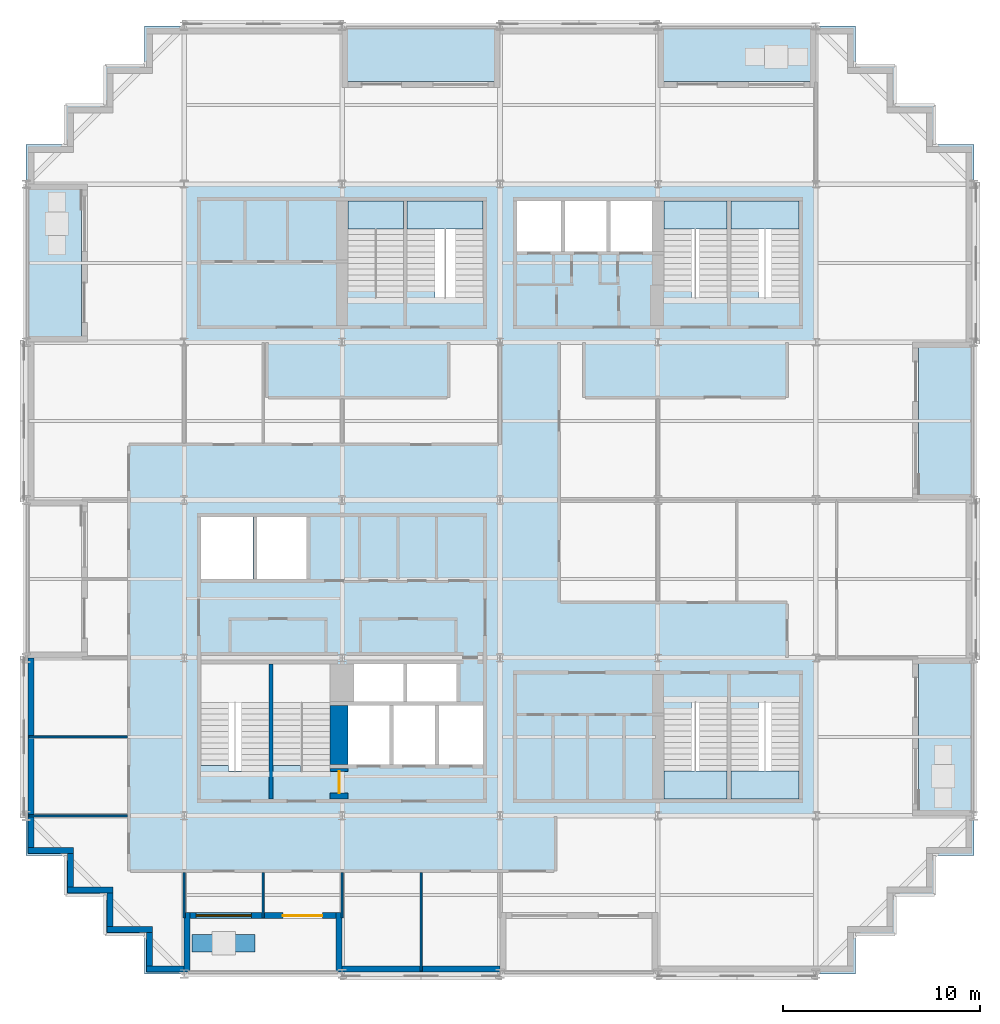
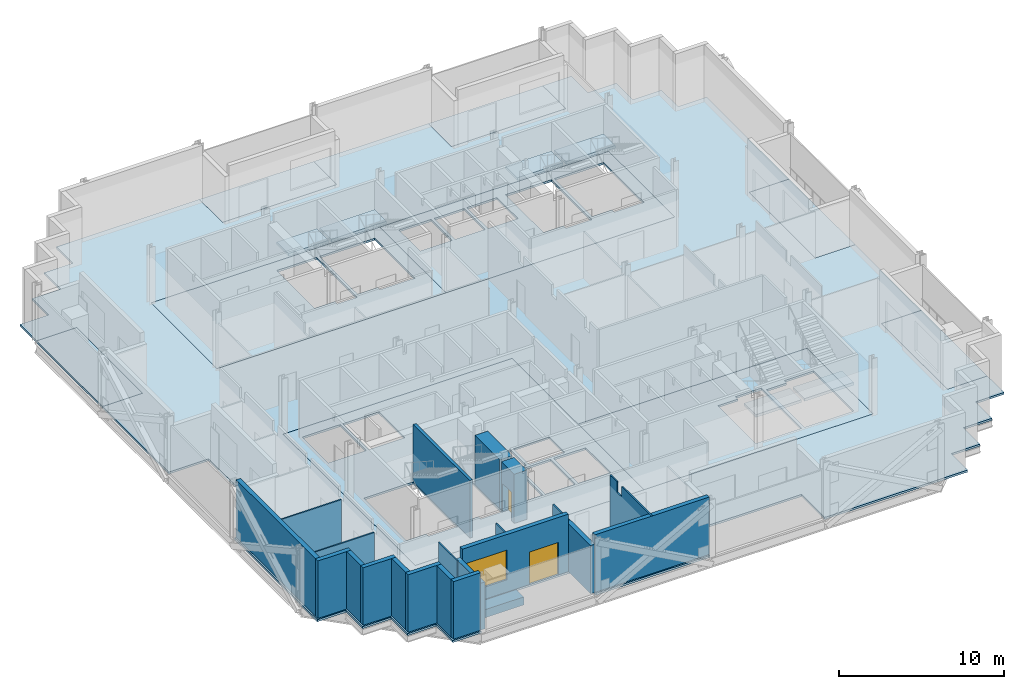
# One storey, part 5 of 15: 22 walls, 16 slabs, 2 doors, 1 window, 3 openings, 6 elements without a shape of their own.
"""IFC4 building model written with IfcOpenShell, lengths in metres."""

from ifc_helpers import new_model, si_unit, direction, frame, frame_2d, origin, place, context, subcontext, project, spatial, polyline, rectangle, outline, extrude, material, layer, layer_set, type_object, element, fill, aggregate, save


model = new_model("IFC4")

# Units and contexts
model_context = context("Model", 3, precision=1e-05, world=origin(), true_north=direction((0.0, 1.0)))
body_context = subcontext(model_context, "Body", "Model", "MODEL_VIEW")
ifc_project = project(units=[si_unit("LENGTHUNIT", "METRE"), si_unit("AREAUNIT", "SQUARE_METRE"), si_unit("VOLUMEUNIT", "CUBIC_METRE"), si_unit("PLANEANGLEUNIT", "RADIAN"), si_unit("MASSUNIT", "GRAM", prefix="KILO")], contexts=[model_context])

# Site, building, storey
site_placement = place(None, origin())
site = spatial("IfcSite", under=ifc_project, at=site_placement, CompositionType="ELEMENT")
building_placement = place(site_placement, origin())
building = spatial("IfcBuilding", under=site, at=building_placement, Name="Immortelle Media Tower", CompositionType="ELEMENT")
storey_placement = place(building_placement, frame((0.0, 0.0, 78.800048828125)))
storey = spatial("IfcBuildingStorey", under=building, at=storey_placement, Name="L14", CompositionType="ELEMENT", Elevation=78.800048828125)

# Slabs
ifc_material_1 = material(Name="Concrete C50/60 composite deck", Category="concrete")
ifc_layer_1 = layer(ifc_material_1, 0.14990234375)
ifc_layer_set_1 = layer_set([ifc_layer_1], Name="Concrete C50/60 composite deck")
slab_type_1 = type_object("IfcSlabType", Name="Balcony slab 150", PredefinedType="FLOOR", material=ifc_layer_set_1)
slab_1_placement = place(storey_placement, frame((0.0, 0.0, -0.150146484375)))
element("IfcSlab", 1, at=slab_1_placement, inside=storey, type_object=slab_type_1, Name="Balcony slab L14 W0", PredefinedType="FLOOR", context=body_context, shape_type="SweptSolid", body=[
    extrude(outline(polyline([(2.800048828125, 32.0), (2.800048828125, 40.0), (0.0, 40.0), (0.0, 32.0), (2.800048828125, 32.0)])), origin(), (0.0, 0.0, 1.0), 0.150146484375),
])
slab_2_placement = place(storey_placement, frame((0.0, 0.0, -0.150146484375)))
element("IfcSlab", 2, at=slab_2_placement, inside=storey, type_object=slab_type_1, Name="Balcony slab L14 E0", PredefinedType="FLOOR", context=body_context, shape_type="SweptSolid", body=[
    extrude(outline(polyline([(48.0, 8.0), (48.0, 16.0), (45.199951171875, 16.0), (45.199951171875, 8.0), (48.0, 8.0)])), origin(), (0.0, 0.0, 1.0), 0.150146484375),
])
slab_3_placement = place(storey_placement, frame((0.0, 0.0, -0.150146484375)))
element("IfcSlab", 3, at=slab_3_placement, inside=storey, type_object=slab_type_1, Name="Balcony slab L14 E2", PredefinedType="FLOOR", context=body_context, shape_type="SweptSolid", body=[
    extrude(outline(polyline([(48.0, 24.0), (48.0, 32.0), (45.199951171875, 32.0), (45.199951171875, 24.0), (48.0, 24.0)])), origin(), (0.0, 0.0, 1.0), 0.150146484375),
])
slab_4_placement = place(storey_placement, frame((0.0, 0.0, -0.150146484375)))
element("IfcSlab", 4, at=slab_4_placement, inside=storey, type_object=slab_type_1, Name="Balcony slab L14 N0", PredefinedType="FLOOR", context=body_context, shape_type="SweptSolid", body=[
    extrude(outline(polyline([(40.0, 45.199951171875), (40.0, 48.0), (32.0, 48.0), (32.0, 45.199951171875), (40.0, 45.199951171875)])), origin(), (0.0, 0.0, 1.0), 0.150146484375),
])
slab_5_placement = place(storey_placement, frame((0.0, 0.0, -0.150146484375)))
element("IfcSlab", 5, at=slab_5_placement, inside=storey, type_object=slab_type_1, Name="Balcony slab L14 N2", PredefinedType="FLOOR", context=body_context, shape_type="SweptSolid", body=[
    extrude(outline(polyline([(24.0, 45.199951171875), (24.0, 48.0), (16.0, 48.0), (16.0, 45.199951171875), (24.0, 45.199951171875)])), origin(), (0.0, 0.0, 1.0), 0.150146484375),
])
ifc_material_2 = material(Name="Concrete C50/60", Category="concrete")
ifc_layer_2 = layer(ifc_material_2, 0.14990234375)
ifc_layer_set_2 = layer_set([ifc_layer_2], Name="Concrete C50/60")
slab_type_2 = type_object("IfcSlabType", Name="Composite floor slab 150", PredefinedType="FLOOR", material=ifc_layer_set_2)
slab_6_placement = place(storey_placement, frame((0.0, 0.0, -0.150146484375)))
element("IfcSlab", 6, at=slab_6_placement, inside=storey, type_object=slab_type_2, Name="Floor slab L14", PredefinedType="FLOOR", context=body_context, shape_type="SweptSolid", body=[
    extrude(outline(polyline([(6.0, 0.0), (6.0, 2.0), (4.0, 2.0), (4.0, 4.0), (2.0, 4.0), (2.0, 6.0), (0.0, 6.0), (0.0, 16.0), (2.800048828125, 16.0), (2.800048828125, 24.0), (0.0, 24.0), (0.0, 32.0), (2.800048828125, 32.0), (2.800048828125, 40.0), (0.0, 40.0), (0.0, 42.0), (2.0, 42.0), (2.0, 44.0), (4.0, 44.0), (4.0, 46.0), (6.0, 46.0), (6.0, 48.0), (16.0, 48.0), (16.0, 45.199951171875), (24.0, 45.199951171875), (24.0, 48.0), (32.0, 48.0), (32.0, 45.199951171875), (40.0, 45.199951171875), (40.0, 48.0), (42.0, 48.0), (42.0, 46.0), (44.0, 46.0), (44.0, 44.0), (46.0, 44.0), (46.0, 42.0), (48.0, 42.0), (48.0, 32.0), (45.199951171875, 32.0), (45.199951171875, 24.0), (48.0, 24.0), (48.0, 16.0), (45.199951171875, 16.0), (45.199951171875, 8.0), (48.0, 8.0), (48.0, 6.0), (46.0, 6.0), (46.0, 4.0), (44.0, 4.0), (44.0, 2.0), (42.0, 2.0), (42.0, 0.0), (32.0, 0.0), (32.0, 2.800048828125), (24.0, 2.800048828125), (24.0, 0.0), (16.0, 0.0), (16.0, 2.800048828125), (8.0, 2.800048828125), (8.0, 0.0), (6.0, 0.0)]), holes=[polyline([(24.0, 24.0), (8.0, 24.0), (8.0, 8.0), (24.0, 8.0), (40.0, 8.0), (40.0, 16.0), (24.0, 16.0), (24.0, 24.0)]), polyline([(24.0, 32.0), (40.0, 32.0), (40.0, 40.0), (24.0, 40.0), (8.0, 40.0), (8.0, 32.0), (24.0, 32.0)])]), origin(), (0.0, 0.0, 1.0), 0.150146484375),
])
ifc_layer_3 = layer(ifc_material_2, 0.14990234375)
ifc_layer_set_3 = layer_set([ifc_layer_3], Name="Concrete C50/60")
slab_type_3 = type_object("IfcSlabType", Name="Core floor slab 150", PredefinedType="FLOOR", material=ifc_layer_set_3)
slab_7_placement = place(storey_placement, frame((0.0, 0.0, -0.150146484375)))
element("IfcSlab", 7, at=slab_7_placement, inside=storey, type_object=slab_type_3, Name="Core floor SW", PredefinedType="FLOOR", context=body_context, shape_type="SweptSolid", body=[
    extrude(outline(polyline([(8.0, 8.0), (24.0, 8.0), (24.0, 24.0), (8.0, 24.0), (8.0, 8.0)]), holes=[polyline([(8.85009765625, 20.0), (11.5, 20.0), (11.5, 23.14990234375), (8.85009765625, 23.14990234375), (8.85009765625, 20.0)]), polyline([(11.699951171875, 20.0), (14.199951171875, 20.0), (14.199951171875, 23.14990234375), (11.699951171875, 23.14990234375), (11.699951171875, 20.0)]), polyline([(16.60009765625, 13.800048828125), (19.10009765625, 13.800048828125), (19.10009765625, 15.699951171875), (16.60009765625, 15.699951171875), (16.60009765625, 13.800048828125)]), polyline([(19.300048828125, 13.800048828125), (21.800048828125, 13.800048828125), (21.800048828125, 15.699951171875), (19.300048828125, 15.699951171875), (19.300048828125, 13.800048828125)]), polyline([(16.300048828125, 10.60009765625), (18.39990234375, 10.60009765625), (18.39990234375, 13.60009765625), (16.300048828125, 13.60009765625), (16.300048828125, 10.60009765625)]), polyline([(18.60009765625, 10.60009765625), (20.699951171875, 10.60009765625), (20.699951171875, 13.60009765625), (18.60009765625, 13.60009765625), (18.60009765625, 10.60009765625)]), polyline([(20.89990234375, 10.60009765625), (23.14990234375, 10.60009765625), (23.14990234375, 13.60009765625), (20.89990234375, 13.60009765625), (20.89990234375, 10.60009765625)]), polyline([(8.85009765625, 15.699951171875), (12.300048828125, 15.699951171875), (12.300048828125, 10.27001953125), (10.25, 10.27001953125), (10.25, 10.56005859375), (8.85009765625, 10.56005859375), (8.85009765625, 15.699951171875)]), polyline([(12.5, 15.699951171875), (15.39990234375, 15.699951171875), (15.39990234375, 10.27001953125), (13.89990234375, 10.27001953125), (13.89990234375, 10.56005859375), (12.5, 10.56005859375), (12.5, 15.699951171875)])]), origin(), (0.0, 0.0, 1.0), 0.150146484375),
])
slab_8_placement = place(storey_placement, frame((0.0, 0.0, -0.150146484375)))
element("IfcSlab", 8, at=slab_8_placement, inside=storey, type_object=slab_type_3, Name="Core floor SE", PredefinedType="FLOOR", context=body_context, shape_type="SweptSolid", body=[
    extrude(outline(polyline([(24.0, 8.0), (40.0, 8.0), (40.0, 16.0), (24.0, 16.0), (24.0, 8.0)]), holes=[polyline([(35.5, 13.72998046875), (35.5, 8.85009765625), (32.300048828125, 8.85009765625), (32.300048828125, 13.43994140625), (33.699951171875, 13.43994140625), (33.699951171875, 13.72998046875), (35.5, 13.72998046875)]), polyline([(39.14990234375, 13.72998046875), (39.14990234375, 8.85009765625), (35.699951171875, 8.85009765625), (35.699951171875, 13.43994140625), (37.10009765625, 13.43994140625), (37.10009765625, 13.72998046875), (39.14990234375, 13.72998046875)])]), origin(), (0.0, 0.0, 1.0), 0.150146484375),
])
slab_9_placement = place(storey_placement, frame((0.0, 0.0, -0.150146484375)))
element("IfcSlab", 9, at=slab_9_placement, inside=storey, type_object=slab_type_3, Name="Core floor NW", PredefinedType="FLOOR", context=body_context, shape_type="SweptSolid", body=[
    extrude(outline(polyline([(8.0, 32.0), (24.0, 32.0), (24.0, 40.0), (8.0, 40.0), (8.0, 32.0)]), holes=[polyline([(16.300048828125, 39.14990234375), (19.10009765625, 39.14990234375), (19.10009765625, 34.27001953125), (17.699951171875, 34.27001953125), (17.699951171875, 34.56005859375), (16.300048828125, 34.56005859375), (16.300048828125, 39.14990234375)]), polyline([(19.300048828125, 39.14990234375), (23.14990234375, 39.14990234375), (23.14990234375, 34.27001953125), (20.699951171875, 34.27001953125), (20.699951171875, 34.56005859375), (19.300048828125, 34.56005859375), (19.300048828125, 39.14990234375)])]), origin(), (0.0, 0.0, 1.0), 0.150146484375),
])
slab_10_placement = place(storey_placement, frame((0.0, 0.0, -0.150146484375)))
element("IfcSlab", 10, at=slab_10_placement, inside=storey, type_object=slab_type_3, Name="Core floor NE", PredefinedType="FLOOR", context=body_context, shape_type="SweptSolid", body=[
    extrude(outline(polyline([(24.0, 32.0), (40.0, 32.0), (40.0, 40.0), (24.0, 40.0), (24.0, 32.0)]), holes=[polyline([(24.85009765625, 36.60009765625), (27.10009765625, 36.60009765625), (27.10009765625, 39.14990234375), (24.85009765625, 39.14990234375), (24.85009765625, 36.60009765625)]), polyline([(27.300048828125, 36.60009765625), (29.39990234375, 36.60009765625), (29.39990234375, 39.14990234375), (27.300048828125, 39.14990234375), (27.300048828125, 36.60009765625)]), polyline([(29.60009765625, 36.60009765625), (31.699951171875, 36.60009765625), (31.699951171875, 39.14990234375), (29.60009765625, 39.14990234375), (29.60009765625, 36.60009765625)]), polyline([(32.300048828125, 39.14990234375), (35.5, 39.14990234375), (35.5, 34.27001953125), (33.699951171875, 34.27001953125), (33.699951171875, 34.56005859375), (32.300048828125, 34.56005859375), (32.300048828125, 39.14990234375)]), polyline([(35.699951171875, 39.14990234375), (39.14990234375, 39.14990234375), (39.14990234375, 34.27001953125), (37.10009765625, 34.27001953125), (37.10009765625, 34.56005859375), (35.699951171875, 34.56005859375), (35.699951171875, 39.14990234375)])]), origin(), (0.0, 0.0, 1.0), 0.150146484375),
])

# Stair, slab
ifc_material_3 = material(Name="Steel ASTM A992 Gr 50", Category="steel")
stair_type = type_object("IfcStairType", Name="Stair with flights", PredefinedType="DOUBLE_RETURN_STAIR", material=ifc_material_3)
stair_1_placement = place(storey_placement, origin())
stair_1 = element("IfcStair", 11, at=stair_1_placement, inside=storey, type_object=stair_type, Name="Exit stair SE1", PredefinedType="DOUBLE_RETURN_STAIR")
ifc_material_4 = material(Name="Steel ASTM A572 Gr 50", Category="steel")
ifc_layer_4 = layer(ifc_material_4, 0.199951171875)
ifc_layer_set_4 = layer_set([ifc_layer_4], Name="Steel ASTM A572 Gr 50")
slab_type_4 = type_object("IfcSlabType", Name="Stair landing 200", PredefinedType="LANDING", material=ifc_layer_set_4)
slab_11_placement = place(storey_placement, frame((0.0, 0.0, 1.911865234375)))
slab_11 = element("IfcSlab", 12, at=slab_11_placement, type_object=slab_type_4, Name="ST SE1 landing 1", PredefinedType="LANDING", context=body_context, shape_type="SweptSolid", body=[
    extrude(outline(polyline([(32.300048828125, 8.85009765625), (35.5, 8.85009765625), (35.5, 10.27001953125), (32.300048828125, 10.27001953125), (32.300048828125, 8.85009765625)])), origin(), (0.0, 0.0, 1.0), 0.2001953125),
])
aggregate(stair_1, [slab_11])

stair_2_placement = place(storey_placement, origin())
stair_2 = element("IfcStair", 13, at=stair_2_placement, inside=storey, type_object=stair_type, Name="Exit stair SE2", PredefinedType="DOUBLE_RETURN_STAIR")
slab_12_placement = place(storey_placement, frame((0.0, 0.0, 1.911865234375)))
slab_12 = element("IfcSlab", 14, at=slab_12_placement, type_object=slab_type_4, Name="ST SE2 landing 1", PredefinedType="LANDING", context=body_context, shape_type="SweptSolid", body=[
    extrude(outline(polyline([(35.699951171875, 8.85009765625), (39.14990234375, 8.85009765625), (39.14990234375, 10.27001953125), (35.699951171875, 10.27001953125), (35.699951171875, 8.85009765625)])), origin(), (0.0, 0.0, 1.0), 0.2001953125),
])
aggregate(stair_2, [slab_12])

stair_3_placement = place(storey_placement, origin())
stair_3 = element("IfcStair", 15, at=stair_3_placement, inside=storey, type_object=stair_type, Name="Exit stair NW1", PredefinedType="DOUBLE_RETURN_STAIR")
slab_13_placement = place(storey_placement, frame((0.0, 0.0, 1.911865234375)))
slab_13 = element("IfcSlab", 16, at=slab_13_placement, type_object=slab_type_4, Name="ST NW1 landing 1", PredefinedType="LANDING", context=body_context, shape_type="SweptSolid", body=[
    extrude(outline(polyline([(16.300048828125, 37.72998046875), (19.10009765625, 37.72998046875), (19.10009765625, 39.14990234375), (16.300048828125, 39.14990234375), (16.300048828125, 37.72998046875)])), origin(), (0.0, 0.0, 1.0), 0.2001953125),
])
aggregate(stair_3, [slab_13])

stair_4_placement = place(storey_placement, origin())
stair_4 = element("IfcStair", 17, at=stair_4_placement, inside=storey, type_object=stair_type, Name="Exit stair NW2", PredefinedType="DOUBLE_RETURN_STAIR")
slab_14_placement = place(storey_placement, frame((0.0, 0.0, 1.911865234375)))
slab_14 = element("IfcSlab", 18, at=slab_14_placement, type_object=slab_type_4, Name="ST NW2 landing 1", PredefinedType="LANDING", context=body_context, shape_type="SweptSolid", body=[
    extrude(outline(polyline([(19.300048828125, 37.72998046875), (23.14990234375, 37.72998046875), (23.14990234375, 39.14990234375), (19.300048828125, 39.14990234375), (19.300048828125, 37.72998046875)])), origin(), (0.0, 0.0, 1.0), 0.2001953125),
])
aggregate(stair_4, [slab_14])

stair_5_placement = place(storey_placement, origin())
stair_5 = element("IfcStair", 19, at=stair_5_placement, inside=storey, type_object=stair_type, Name="Exit stair NE1", PredefinedType="DOUBLE_RETURN_STAIR")
slab_15_placement = place(storey_placement, frame((0.0, 0.0, 1.911865234375)))
slab_15 = element("IfcSlab", 20, at=slab_15_placement, type_object=slab_type_4, Name="ST NE1 landing 1", PredefinedType="LANDING", context=body_context, shape_type="SweptSolid", body=[
    extrude(outline(polyline([(32.300048828125, 37.72998046875), (35.5, 37.72998046875), (35.5, 39.14990234375), (32.300048828125, 39.14990234375), (32.300048828125, 37.72998046875)])), origin(), (0.0, 0.0, 1.0), 0.2001953125),
])
aggregate(stair_5, [slab_15])

stair_6_placement = place(storey_placement, origin())
stair_6 = element("IfcStair", 21, at=stair_6_placement, inside=storey, type_object=stair_type, Name="Exit stair NE2", PredefinedType="DOUBLE_RETURN_STAIR")
slab_16_placement = place(storey_placement, frame((0.0, 0.0, 1.911865234375)))
slab_16 = element("IfcSlab", 22, at=slab_16_placement, type_object=slab_type_4, Name="ST NE2 landing 1", PredefinedType="LANDING", context=body_context, shape_type="SweptSolid", body=[
    extrude(outline(polyline([(35.699951171875, 37.72998046875), (39.14990234375, 37.72998046875), (39.14990234375, 39.14990234375), (35.699951171875, 39.14990234375), (35.699951171875, 37.72998046875)])), origin(), (0.0, 0.0, 1.0), 0.2001953125),
])
aggregate(stair_6, [slab_16])

# Walls
ifc_material_5 = material(Name="Pale aluminium cladding panel", Category="aluminium")
ifc_layer_5 = layer(ifc_material_5, 0.030029296875)
ifc_material_6 = material(Name="Steel ASTM A653 SS Gr 50 stud frame with mineral wool", Category="steel")
ifc_layer_6 = layer(ifc_material_6, 0.257568359375)
ifc_material_7 = material(Name="Moisture-resistant gypsum board", Category="gypsum")
ifc_layer_7 = layer(ifc_material_7, 0.012451171875)
ifc_layer_set_5 = layer_set([ifc_layer_5, ifc_layer_6, ifc_layer_7], Name="Steel ASTM A653 SS Gr 50 stud frame with mineral wool")
wall_type_1 = type_object("IfcWallType", Name="Facade wall 300", PredefinedType="SOLIDWALL", material=ifc_layer_set_5)
wall_1_placement = place(storey_placement, frame((0.25, 16.0, 0.0), z_axis=(0.0, 0.0, 1.0), x_axis=(0.0, -1.0, 0.0)))
element("IfcWall", 23, at=wall_1_placement, inside=storey, type_object=wall_type_1, Name="Facade wall L14 W0", PredefinedType="SOLIDWALL", context=body_context, shape_type="SweptSolid", body=[
    extrude(rectangle(XDim=9.60009765625, YDim=0.300048828125, at=frame_2d((4.800048828125, 0.0))), origin(), (0.0, 0.0, 1.0), 4.25),
])
wall_2_placement = place(storey_placement, frame((0.10009765625, 6.25, 0.0), z_axis=(0.0, 0.0, 1.0), x_axis=(1.0, 0.0, 0.0)))
element("IfcWall", 24, at=wall_2_placement, inside=storey, type_object=wall_type_1, Name="Facade wall L14 S1", PredefinedType="SOLIDWALL", context=body_context, shape_type="SweptSolid", body=[
    extrude(rectangle(XDim=2.2998046875, YDim=0.300048828125, at=frame_2d((1.14990234375, 0.0))), origin(), (0.0, 0.0, 1.0), 4.25),
])
wall_3_placement = place(storey_placement, frame((2.25, 6.10009765625, 0.0), z_axis=(0.0, 0.0, 1.0), x_axis=(0.0, -1.0, 0.0)))
element("IfcWall", 25, at=wall_3_placement, inside=storey, type_object=wall_type_1, Name="Facade wall L14 W2", PredefinedType="SOLIDWALL", context=body_context, shape_type="SweptSolid", body=[
    extrude(rectangle(XDim=1.7001953125, YDim=0.300048828125, at=frame_2d((0.85009765625, 0.0))), origin(), (0.0, 0.0, 1.0), 4.25),
])
wall_4_placement = place(storey_placement, frame((2.10009765625, 4.25, 0.0), z_axis=(0.0, 0.0, 1.0), x_axis=(1.0, 0.0, 0.0)))
element("IfcWall", 26, at=wall_4_placement, inside=storey, type_object=wall_type_1, Name="Facade wall L14 S3", PredefinedType="SOLIDWALL", context=body_context, shape_type="SweptSolid", body=[
    extrude(rectangle(XDim=2.2998046875, YDim=0.300048828125, at=frame_2d((1.14990234375, 0.0))), origin(), (0.0, 0.0, 1.0), 4.25),
])
wall_5_placement = place(storey_placement, frame((4.25, 4.10009765625, 0.0), z_axis=(0.0, 0.0, 1.0), x_axis=(0.0, -1.0, 0.0)))
element("IfcWall", 27, at=wall_5_placement, inside=storey, type_object=wall_type_1, Name="Facade wall L14 W4", PredefinedType="SOLIDWALL", context=body_context, shape_type="SweptSolid", body=[
    extrude(rectangle(XDim=1.7001953125, YDim=0.300048828125, at=frame_2d((0.85009765625, 0.0))), origin(), (0.0, 0.0, 1.0), 4.25),
])
wall_6_placement = place(storey_placement, frame((4.10009765625, 2.25, 0.0), z_axis=(0.0, 0.0, 1.0), x_axis=(1.0, 0.0, 0.0)))
element("IfcWall", 28, at=wall_6_placement, inside=storey, type_object=wall_type_1, Name="Facade wall L14 S5", PredefinedType="SOLIDWALL", context=body_context, shape_type="SweptSolid", body=[
    extrude(rectangle(XDim=2.2998046875, YDim=0.300048828125, at=frame_2d((1.14990234375, 0.0))), origin(), (0.0, 0.0, 1.0), 4.25),
])
wall_7_placement = place(storey_placement, frame((6.25, 2.10009765625, 0.0), z_axis=(0.0, 0.0, 1.0), x_axis=(0.0, -1.0, 0.0)))
element("IfcWall", 29, at=wall_7_placement, inside=storey, type_object=wall_type_1, Name="Facade wall L14 W6", PredefinedType="SOLIDWALL", context=body_context, shape_type="SweptSolid", body=[
    extrude(rectangle(XDim=1.7001953125, YDim=0.300048828125, at=frame_2d((0.85009765625, 0.0))), origin(), (0.0, 0.0, 1.0), 4.25),
])
wall_8_placement = place(storey_placement, frame((6.10009765625, 0.25, 0.0), z_axis=(0.0, 0.0, 1.0), x_axis=(1.0, 0.0, 0.0)))
element("IfcWall", 30, at=wall_8_placement, inside=storey, type_object=wall_type_1, Name="Facade wall L14 S7", PredefinedType="SOLIDWALL", context=body_context, shape_type="SweptSolid", body=[
    extrude(rectangle(XDim=1.89990234375, YDim=0.300048828125, at=frame_2d((0.949951171875, 0.0))), origin(), (0.0, 0.0, 1.0), 4.25),
])

# Wall, openings, door, window
wall_9_placement = place(storey_placement, frame((8.300048828125, 2.949951171875, 0.0), z_axis=(0.0, 0.0, 1.0), x_axis=(1.0, 0.0, 0.0)))
wall_9 = element("IfcWall", 31, at=wall_9_placement, inside=storey, type_object=wall_type_1, Name="Loggia wall L14 S7", PredefinedType="SOLIDWALL", context=body_context, shape_type="SweptSolid", body=[
    extrude(rectangle(XDim=7.39990234375, YDim=0.300048828125, at=frame_2d((3.699951171875, 0.0))), origin(), (0.0, 0.0, 1.0), 4.25),
])
opening_1_placement = place(wall_9_placement, frame((0.300048828125, 0.0, 0.89990234375)))
opening_1 = element("IfcOpeningElement", 32, at=opening_1_placement, cuts=wall_9, Name="Opening W1", PredefinedType="OPENING", context=body_context, shape_type="SweptSolid", body=[
    extrude(rectangle(XDim=2.800048828125, YDim=2.199951171875, at=frame_2d((1.39990234375, 1.10009765625))), frame((0.0, 0.159912109375, 0.0), z_axis=(0.0, -1.0, 0.0), x_axis=(1.0, 0.0, 0.0)), (0.0, 0.0, 1.0), 0.320068359375),
])
opening_2_placement = place(wall_9_placement, frame((4.699951171875, 0.0, 0.0)))
opening_2 = element("IfcOpeningElement", 33, at=opening_2_placement, cuts=wall_9, Name="Opening N4-E003", PredefinedType="OPENING", context=body_context, shape_type="SweptSolid", body=[
    extrude(rectangle(XDim=2.0, YDim=2.39990234375, at=frame_2d((1.0, 1.199951171875))), frame((0.0, 0.159912109375, 0.0), z_axis=(0.0, -1.0, 0.0), x_axis=(1.0, 0.0, 0.0)), (0.0, 0.0, 1.0), 0.320068359375),
])
ifc_material_8 = material(Name="Aluminium frame, glazed leaves", Category="aluminium")
door_type_1 = type_object("IfcDoorType", Name="Loggia door 2000 x 2400", OperationType="DOUBLE_DOOR_SINGLE_SWING", PredefinedType="DOOR", material=ifc_material_8)
door_1_placement = place(opening_2_placement, origin())
door_1 = element("IfcDoor", 34, at=door_1_placement, inside=storey, type_object=door_type_1, Name="Door N4-E003", OperationType="DOUBLE_DOOR_SINGLE_SWING", OverallHeight=2.39990234375, OverallWidth=2.0, PredefinedType="DOOR", context=body_context, shape_type="SweptSolid", body=[
    extrude(rectangle(XDim=2.0, YDim=2.39990234375, at=frame_2d((1.0, 1.199951171875))), frame((0.0, 0.02490234375, 0.0), z_axis=(0.0, -1.0, 0.0), x_axis=(1.0, 0.0, 0.0)), (0.0, 0.0, 1.0), 0.050048828125),
])
fill(opening_2, door_1)
ifc_material_9 = material(Name="Aluminium frame", Category="aluminium")
window_type = type_object("IfcWindowType", Name="Window 2800 x 2200", PartitioningType="SINGLE_PANEL", PredefinedType="WINDOW", material=ifc_material_9)
window_placement = place(opening_1_placement, origin())
window = element("IfcWindow", 35, at=window_placement, inside=storey, type_object=window_type, Name="Window L14 L14-R7-B0", OverallHeight=2.199951171875, OverallWidth=2.800048828125, PartitioningType="SINGLE_PANEL", PredefinedType="WINDOW", context=body_context, shape_type="SweptSolid", body=[
    extrude(rectangle(XDim=2.800048828125, YDim=2.199951171875, at=frame_2d((1.39990234375, 1.10009765625))), frame((0.0, 0.030029296875, 0.0), z_axis=(0.0, -1.0, 0.0), x_axis=(1.0, 0.0, 0.0)), (0.0, 0.0, 1.0), 0.06005859375),
])
fill(opening_1, window)

# Walls
wall_10_placement = place(storey_placement, frame((8.14990234375, 0.10009765625, 0.0), z_axis=(0.0, 0.0, 1.0), x_axis=(0.0, 1.0, 0.0)))
element("IfcWall", 36, at=wall_10_placement, inside=storey, type_object=wall_type_1, Name="Loggia cheek wall L14 S", PredefinedType="SOLIDWALL", context=body_context, shape_type="SweptSolid", body=[
    extrude(rectangle(XDim=3.0, YDim=0.300048828125, at=frame_2d((1.5, 0.0))), origin(), (0.0, 0.0, 1.0), 3.468994140625),
])
wall_11_placement = place(storey_placement, frame((15.85009765625, 0.10009765625, 0.0), z_axis=(0.0, 0.0, 1.0), x_axis=(0.0, 1.0, 0.0)))
element("IfcWall", 37, at=wall_11_placement, inside=storey, type_object=wall_type_1, Name="Loggia cheek wall L14 S", PredefinedType="SOLIDWALL", context=body_context, shape_type="SweptSolid", body=[
    extrude(rectangle(XDim=3.0, YDim=0.300048828125, at=frame_2d((1.5, 0.0))), origin(), (0.0, 0.0, 1.0), 3.555908203125),
])
wall_12_placement = place(storey_placement, frame((16.0, 0.25, 0.0), z_axis=(0.0, 0.0, 1.0), x_axis=(1.0, 0.0, 0.0)))
element("IfcWall", 38, at=wall_12_placement, inside=storey, type_object=wall_type_1, Name="Facade wall L14 S7", PredefinedType="SOLIDWALL", context=body_context, shape_type="SweptSolid", body=[
    extrude(rectangle(XDim=8.0, YDim=0.300048828125, at=frame_2d((4.0, 0.0))), origin(), (0.0, 0.0, 1.0), 4.25),
])
ifc_material_10 = material(Name="Gypsum board", Category="gypsum")
ifc_layer_8 = layer(ifc_material_10, 0.012451171875)
ifc_layer_9 = layer(ifc_material_6, 0.074951171875)
ifc_layer_10 = layer(ifc_material_10, 0.012451171875)
ifc_layer_set_6 = layer_set([ifc_layer_8, ifc_layer_9, ifc_layer_10], Name="Steel ASTM A653 SS Gr 50 stud frame with mineral wool")
wall_type_2 = type_object("IfcWallType", Name="Partition 100", PredefinedType="PARTITIONING", material=ifc_layer_set_6)
wall_13_placement = place(storey_placement, frame((20.0, 0.1298828125, 0.0), z_axis=(0.0, 0.0, 1.0), x_axis=(0.0, 1.0, 0.0)))
element("IfcWall", 39, at=wall_13_placement, inside=storey, type_object=wall_type_2, Name="Partition L14-001", PredefinedType="PARTITIONING", context=body_context, shape_type="SweptSolid", body=[
    extrude(outline(polyline([(0.0, 0.0), (4.9951171875, 0.0), (4.9951171875, 4.25), (4.169921875, 4.25), (4.16796875, 3.469970703125), (3.572021484375, 3.469970703125), (3.570068359375, 4.25), (0.0, 4.25), (0.0, 0.0)])), frame((0.0, 0.050048828125, 0.0), z_axis=(0.0, -1.0, 0.0), x_axis=(1.0, 0.0, 0.0)), (0.0, 0.0, 1.0), 0.10009765625),
])
for number, where, z_axis, x_axis, name in (
    (40, (8.0, 2.830078125, 0.0), (0.0, 0.0, 1.0), (0.0, 1.0, 0.0), "Partition L14-002"),
    (41, (12.0, 2.830078125, 0.0), (0.0, 0.0, 1.0), (0.0, 1.0, 0.0), "Partition L14-003"),
    (42, (16.0, 2.830078125, 0.0), (0.0, 0.0, 1.0), (0.0, 1.0, 0.0), "Partition L14-004"),
):
    element("IfcWall", number, at=place(storey_placement, frame(where, z_axis=z_axis, x_axis=x_axis)), inside=storey, type_object=wall_type_2, Name=name, PredefinedType="PARTITIONING", context=body_context, shape_type="SweptSolid", body=[
        extrude(rectangle(XDim=2.294921875, YDim=0.10009765625, at=frame_2d((1.1474609375, 0.0))), origin(), (0.0, 0.0, 1.0), 3.469970703125),
    ])
for number, where, z_axis, x_axis, name in (
    (43, (0.1298828125, 8.0, 0.0), (0.0, 0.0, 1.0), (1.0, 0.0, 0.0), "Partition L14-009"),
    (44, (0.1298828125, 12.0, 0.0), (0.0, 0.0, 1.0), (1.0, 0.0, 0.0), "Partition L14-010"),
):
    element("IfcWall", number, at=place(storey_placement, frame(where, z_axis=z_axis, x_axis=x_axis)), inside=storey, type_object=wall_type_2, Name=name, PredefinedType="PARTITIONING", context=body_context, shape_type="SweptSolid", body=[
        extrude(rectangle(XDim=4.9951171875, YDim=0.10009765625, at=frame_2d((2.49755859375, 0.0))), origin(), (0.0, 0.0, 1.0), 3.469970703125),
    ])
ifc_layer_11 = layer(ifc_material_5, 0.0029296875)
ifc_material_11 = material(Name="Steel ASTM A572 Gr 50 planter shell", Category="steel")
ifc_layer_12 = layer(ifc_material_11, 0.011962890625)
ifc_material_12 = material(Name="Planting substrate", Category="soil")
ifc_layer_13 = layer(ifc_material_12, 0.873046875)
ifc_layer_14 = layer(ifc_material_11, 0.011962890625)
ifc_layer_set_7 = layer_set([ifc_layer_11, ifc_layer_12, ifc_layer_13, ifc_layer_14], Name="Steel ASTM A572 Gr 50 planter shell")
wall_type_3 = type_object("IfcWallType", Name="Planter wall 900", PredefinedType="SOLIDWALL", material=ifc_layer_set_7)
wall_14_placement = place(storey_placement, frame((8.39990234375, 1.550048828125, 0.0), z_axis=(0.0, 0.0, 1.0), x_axis=(1.0, 0.0, 0.0)))
element("IfcWall", 45, at=wall_14_placement, inside=storey, type_object=wall_type_3, Name="Planter L14 S0", PredefinedType="SOLIDWALL", context=body_context, shape_type="SweptSolid", body=[
    extrude(rectangle(XDim=3.2001953125, YDim=0.89990234375, at=frame_2d((1.60009765625, 0.0))), origin(), (0.0, 0.0, 1.0), 0.599853515625),
])
ifc_material_13 = material(Name="Concrete C60", Category="concrete")
ifc_layer_15 = layer(ifc_material_13, 0.199951171875)
ifc_layer_set_8 = layer_set([ifc_layer_15], Name="Concrete C60")
wall_type_4 = type_object("IfcWallType", Name="Stair shaft wall 200", PredefinedType="PARTITIONING", material=ifc_layer_set_8)
wall_15_placement = place(storey_placement, frame((12.39990234375, 8.85009765625, 0.0), z_axis=(0.0, 0.0, 1.0), x_axis=(0.0, 1.0, 0.0)))
element("IfcWall", 46, at=wall_15_placement, inside=storey, type_object=wall_type_4, Name="Stair shaft wall SW", PredefinedType="PARTITIONING", context=body_context, shape_type="SweptSolid", body=[
    extrude(rectangle(XDim=6.849853515625, YDim=0.199951171875, at=frame_2d((3.4248046875, 0.0))), origin(), (0.0, 0.0, 1.0), 4.25),
])

# Wall, opening, door
ifc_layer_16 = layer(ifc_material_13, 0.89990234375)
ifc_layer_set_9 = layer_set([ifc_layer_16], Name="Concrete C60")
wall_type_5 = type_object("IfcWallType", Name="Stair shaft wall 900", PredefinedType="PARTITIONING", material=ifc_layer_set_9)
wall_16_placement = place(storey_placement, frame((15.85009765625, 8.85009765625, 0.0), z_axis=(0.0, 0.0, 1.0), x_axis=(0.0, 1.0, 0.0)))
wall_16 = element("IfcWall", 47, at=wall_16_placement, inside=storey, type_object=wall_type_5, Name="Stair shaft wall SW", PredefinedType="PARTITIONING", context=body_context, shape_type="SweptSolid", body=[
    extrude(rectangle(XDim=1.5498046875, YDim=0.89990234375, at=frame_2d((0.77490234375, 0.0))), origin(), (0.0, 0.0, 1.0), 3.6318359375),
])
opening_3_placement = place(wall_16_placement, frame((0.300048828125, 0.0, 0.0)))
opening_3 = element("IfcOpeningElement", 48, at=opening_3_placement, cuts=wall_16, Name="Opening N4-K005", PredefinedType="OPENING", context=body_context, shape_type="SweptSolid", body=[
    extrude(rectangle(XDim=1.10009765625, YDim=2.10009765625, at=frame_2d((0.550048828125, 1.050048828125))), frame((0.0, 0.4599609375, 0.0), z_axis=(0.0, -1.0, 0.0), x_axis=(1.0, 0.0, 0.0)), (0.0, 0.0, 1.0), 0.919921875),
])
ifc_material_14 = material(Name="Galvanised steel door leaf and frame ASTM A653", Category="steel")
door_type_2 = type_object("IfcDoorType", Name="Stair lobby door 1100 x 2100", OperationType="NOTDEFINED", PredefinedType="NOTDEFINED", material=ifc_material_14)
door_2_placement = place(opening_3_placement, origin())
door_2 = element("IfcDoor", 49, at=door_2_placement, inside=storey, type_object=door_type_2, Name="Stair lobby N4-K005", OperationType="SINGLE_SWING_LEFT", OverallHeight=2.10009765625, OverallWidth=1.10009765625, PredefinedType="NOTDEFINED", context=body_context, shape_type="SweptSolid", body=[
    extrude(rectangle(XDim=1.10009765625, YDim=2.10009765625, at=frame_2d((0.550048828125, 1.050048828125))), frame((0.0, 0.02490234375, 0.0), z_axis=(0.0, -1.0, 0.0), x_axis=(1.0, 0.0, 0.0)), (0.0, 0.0, 1.0), 0.050048828125),
])
fill(opening_3, door_2)

# Wall
wall_17_placement = place(storey_placement, frame((15.85009765625, 10.60009765625, 0.0), z_axis=(0.0, 0.0, 1.0), x_axis=(0.0, 1.0, 0.0)))
element("IfcWall", 50, at=wall_17_placement, inside=storey, type_object=wall_type_5, Name="Stair shaft wall SW", PredefinedType="PARTITIONING", context=body_context, shape_type="SweptSolid", body=[
    extrude(rectangle(XDim=3.0, YDim=0.89990234375, at=frame_2d((1.5, 0.0))), origin(), (0.0, 0.0, 1.0), 3.6318359375),
])

save(model, "model.ifc")
